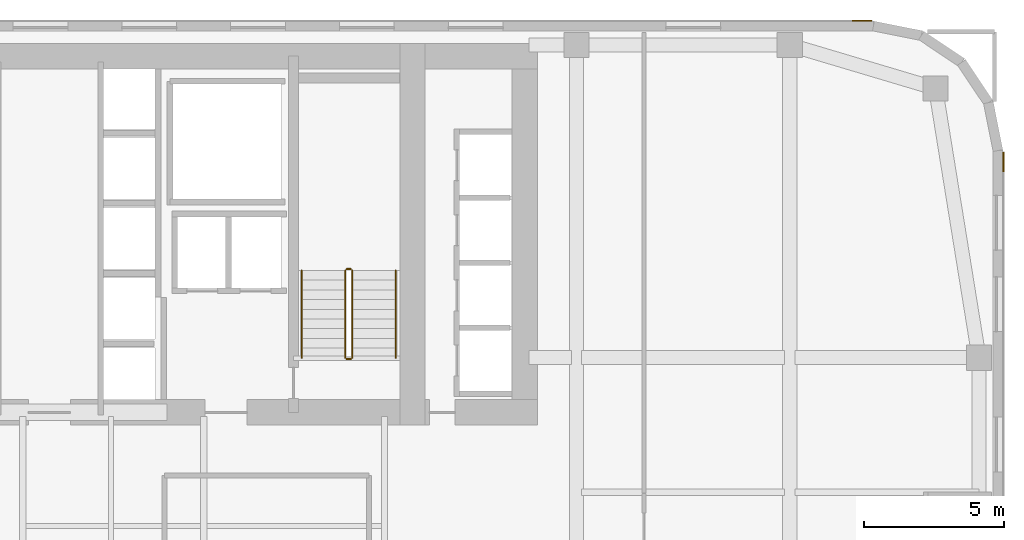
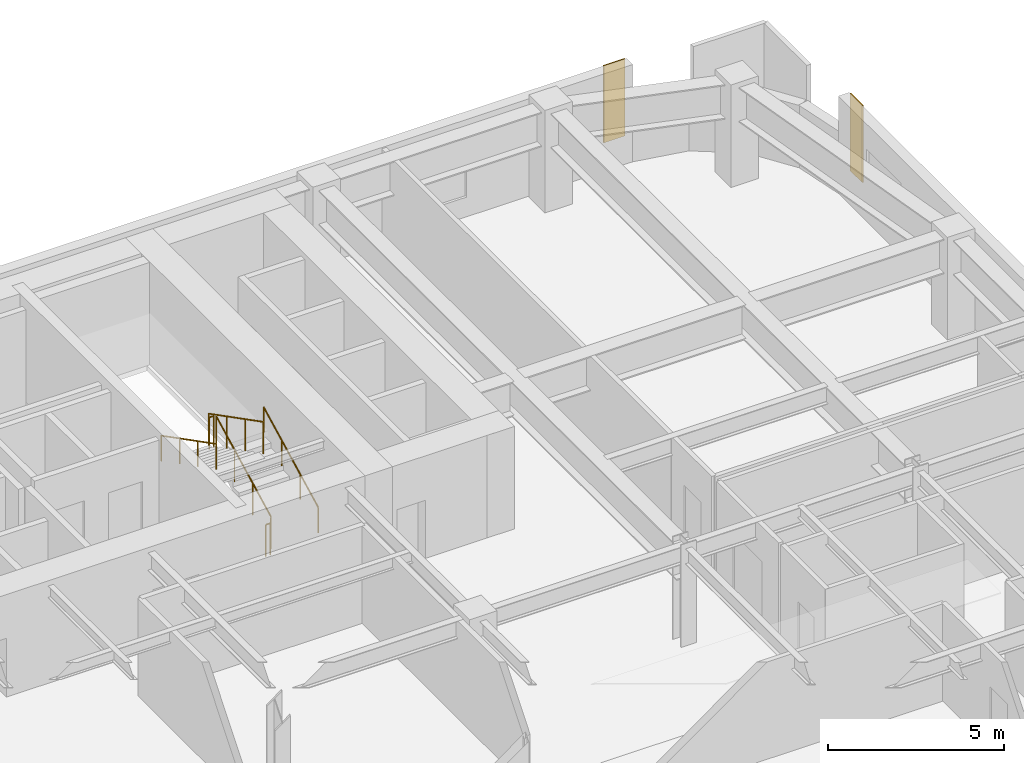
# One storey, part 24 of 24: 6 railings, 2 coverings.
"""IFC4 building model written with IfcOpenShell, lengths in metres."""

from ifc_helpers import new_model, si_unit, direction, frame, origin, origin_2d, place, context, subcontext, project, spatial, polyline, circle, outline, extrude, material, layer, layer_set, type_object, element, save


model = new_model("IFC4")

# Units and contexts
model_context = context("Model", 3, precision=1e-05, world=origin(), true_north=direction((0.0, 1.0)))
body_context = subcontext(model_context, "Body", "Model", "MODEL_VIEW")
ifc_project = project(units=[si_unit("LENGTHUNIT", "METRE"), si_unit("AREAUNIT", "SQUARE_METRE"), si_unit("VOLUMEUNIT", "CUBIC_METRE"), si_unit("PLANEANGLEUNIT", "RADIAN"), si_unit("MASSUNIT", "GRAM", prefix="KILO")], contexts=[model_context])

# Site, building, storey
site_placement = place(None, origin())
site = spatial("IfcSite", under=ifc_project, at=site_placement, CompositionType="ELEMENT")
building_placement = place(site_placement, origin())
building = spatial("IfcBuilding", under=site, at=building_placement, Name="Tolvann Quenvar Hotel", CompositionType="ELEMENT")
storey_placement = place(building_placement, frame((0.0, 0.0, 88.800048828125)))
storey = spatial("IfcBuildingStorey", under=building, at=storey_placement, Name="L22", CompositionType="ELEMENT", Elevation=88.800048828125)

# Coverings
ifc_material_1 = material(Name="Kiln-fired red architectural face brick cladding", Category="masonry")
ifc_layer = layer(ifc_material_1, 0.0400390625)
ifc_layer_set = layer_set([ifc_layer], Name="Kiln-fired red architectural face brick cladding")
covering_type = type_object("IfcCoveringType", Name="COV_CLAD_BRICK_40", PredefinedType="CLADDING", material=ifc_layer_set)
covering_1_placement = place(storey_placement, frame((0.0, 0.0, 0.699951171875)))
element("IfcCovering", 1, at=covering_1_placement, inside=storey, type_object=covering_type, Name="Brick Pier Cladding (L22-E13-P2)", PredefinedType="CLADDING", context=body_context, shape_type="SweptSolid", body=[
    extrude(outline(polyline([(57.0, 40.6328125), (57.0, 41.332763671875), (57.0400390625, 41.332763671875), (57.0400390625, 40.6328125), (57.0, 40.6328125)])), origin(), (0.0, 0.0, 1.0), 2.669921875),
])
covering_2_placement = place(storey_placement, frame((0.0, 0.0, 0.699951171875)))
element("IfcCovering", 2, at=covering_2_placement, inside=storey, type_object=covering_type, Name="Brick Pier Cladding (L22-E18-P1)", PredefinedType="CLADDING", context=body_context, shape_type="SweptSolid", body=[
    extrude(outline(polyline([(52.332763671875, 46.0), (51.6328125, 46.0), (51.6328125, 46.0400390625), (52.332763671875, 46.0400390625), (52.332763671875, 46.0)])), origin(), (0.0, 0.0, 1.0), 2.669921875),
])

# Railings
ifc_material_2 = material(Name="Brushed 316 stainless steel balustrade and handrail", Category="steel")
railing_type_1 = type_object("IfcRailingType", Name="GUARDRAIL", PredefinedType="GUARDRAIL", material=ifc_material_2)
railing_1_placement = place(storey_placement, frame((33.800048828125, 34.0, 0.177490234375)))
element("IfcRailing", 3, at=railing_1_placement, inside=storey, type_object=railing_type_1, Name="L22 ST-C2 stair guard 1", PredefinedType="GUARDRAIL", context=body_context, shape_type="SweptSolid", body=[
    extrude(circle(Radius=0.02392578125, at=origin_2d()), frame((0.0, 0.0, 1.09619140625), z_axis=(0.0, 0.889221982265, 0.45747597342), x_axis=(-1.0, 0.0, 0.0)), (0.0, 0.0, 1.0), 3.49169921875),
    extrude(circle(Radius=0.02099609375, at=origin_2d()), origin(), (0.0, 0.0, 1.0), 1.072021484375),
    extrude(circle(Radius=0.02099609375, at=origin_2d()), frame((0.0, 1.034912109375, 0.532470703125)), (0.0, 0.0, 1.0), 1.072021484375),
    extrude(circle(Radius=0.02099609375, at=origin_2d()), frame((0.0, 2.070068359375, 1.06494140625)), (0.0, 0.0, 1.0), 1.072021484375),
    extrude(circle(Radius=0.02099609375, at=origin_2d()), frame((0.0, 3.10498046875, 1.597412109375)), (0.0, 0.0, 1.0), 1.072021484375),
])
railing_2_placement = place(storey_placement, frame((33.75, 37.155029296875, 1.77490234375)))
element("IfcRailing", 4, at=railing_2_placement, inside=storey, type_object=railing_type_1, Name="L22 ST-C2 stair guard 2", PredefinedType="GUARDRAIL", context=body_context, shape_type="SweptSolid", body=[
    extrude(circle(Radius=0.02392578125, at=origin_2d()), frame((0.0, 0.0, 1.09619140625), z_axis=(-1.0, 0.0, 0.0), x_axis=(0.0, -1.0, 0.0)), (0.0, 0.0, 1.0), 0.14990234375),
    extrude(circle(Radius=0.02099609375, at=origin_2d()), origin(), (0.0, 0.0, 1.0), 1.072021484375),
    extrude(circle(Radius=0.02099609375, at=origin_2d()), frame((-0.14990234375, 0.0, 0.0)), (0.0, 0.0, 1.0), 1.072021484375),
])
railing_3_placement = place(storey_placement, frame((33.550048828125, 37.10498046875, 1.952392578125)))
element("IfcRailing", 5, at=railing_3_placement, inside=storey, type_object=railing_type_1, Name="L22 ST-C2 stair guard 3", PredefinedType="GUARDRAIL", context=body_context, shape_type="SweptSolid", body=[
    extrude(circle(Radius=0.02392578125, at=origin_2d()), frame((0.0, 0.0, 1.09619140625), z_axis=(0.0, -0.88919353882, 0.457531256332), x_axis=(1.0, 0.0, 0.0)), (0.0, 0.0, 1.0), 3.491943359375),
    extrude(circle(Radius=0.02099609375, at=origin_2d()), origin(), (0.0, 0.0, 1.0), 1.072021484375),
    extrude(circle(Radius=0.02099609375, at=origin_2d()), frame((0.0, -1.034912109375, 0.532470703125)), (0.0, 0.0, 1.0), 1.072021484375),
    extrude(circle(Radius=0.02099609375, at=origin_2d()), frame((0.0, -2.070068359375, 1.065185546875)), (0.0, 0.0, 1.0), 1.072021484375),
    extrude(circle(Radius=0.02099609375, at=origin_2d()), frame((0.0, -3.10498046875, 1.59765625)), (0.0, 0.0, 1.0), 1.072021484375),
])
railing_4_placement = place(storey_placement, frame((33.75, 33.949951171875, 0.0)))
element("IfcRailing", 6, at=railing_4_placement, inside=storey, type_object=railing_type_1, Name="L22 ST-C2 stair guard 4", PredefinedType="GUARDRAIL", context=body_context, shape_type="SweptSolid", body=[
    extrude(circle(Radius=0.02392578125, at=origin_2d()), frame((0.0, 0.0, 1.09619140625), z_axis=(-1.0, 0.0, 0.0), x_axis=(0.0, -1.0, 0.0)), (0.0, 0.0, 1.0), 0.14990234375),
    extrude(circle(Radius=0.02099609375, at=origin_2d()), origin(), (0.0, 0.0, 1.0), 1.072021484375),
    extrude(circle(Radius=0.02099609375, at=origin_2d()), frame((-0.14990234375, 0.0, 0.0)), (0.0, 0.0, 1.0), 1.072021484375),
])
railing_type_2 = type_object("IfcRailingType", Name="HANDRAIL", PredefinedType="HANDRAIL", material=ifc_material_2)
railing_5_placement = place(storey_placement, frame((35.35009765625, 34.0, 0.177490234375)))
element("IfcRailing", 7, at=railing_5_placement, inside=storey, type_object=railing_type_2, Name="L22 ST-C2 stair handrail 1", PredefinedType="HANDRAIL", context=body_context, shape_type="SweptSolid", body=[
    extrude(circle(Radius=0.02392578125, at=origin_2d()), frame((0.0, 0.0, 0.8759765625), z_axis=(0.0, 0.889221982265, 0.45747597342), x_axis=(-1.0, 0.0, 0.0)), (0.0, 0.0, 1.0), 3.49169921875),
    extrude(circle(Radius=0.02099609375, at=origin_2d()), origin(), (0.0, 0.0, 1.0), 0.851806640625),
    extrude(circle(Radius=0.02099609375, at=origin_2d()), frame((0.0, 1.034912109375, 0.532470703125)), (0.0, 0.0, 1.0), 0.851806640625),
    extrude(circle(Radius=0.02099609375, at=origin_2d()), frame((0.0, 2.070068359375, 1.06494140625)), (0.0, 0.0, 1.0), 0.851806640625),
    extrude(circle(Radius=0.02099609375, at=origin_2d()), frame((0.0, 3.10498046875, 1.597412109375)), (0.0, 0.0, 1.0), 0.851806640625),
])
railing_6_placement = place(storey_placement, frame((32.0, 37.10498046875, 1.952392578125)))
element("IfcRailing", 8, at=railing_6_placement, inside=storey, type_object=railing_type_2, Name="L22 ST-C2 stair handrail 2", PredefinedType="HANDRAIL", context=body_context, shape_type="SweptSolid", body=[
    extrude(circle(Radius=0.02392578125, at=origin_2d()), frame((0.0, 0.0, 0.8759765625), z_axis=(0.0, -0.88919353882, 0.457531256332), x_axis=(1.0, 0.0, 0.0)), (0.0, 0.0, 1.0), 3.491943359375),
    extrude(circle(Radius=0.02099609375, at=origin_2d()), origin(), (0.0, 0.0, 1.0), 0.851806640625),
    extrude(circle(Radius=0.02099609375, at=origin_2d()), frame((0.0, -1.034912109375, 0.532470703125)), (0.0, 0.0, 1.0), 0.851806640625),
    extrude(circle(Radius=0.02099609375, at=origin_2d()), frame((0.0, -2.070068359375, 1.065185546875)), (0.0, 0.0, 1.0), 0.851806640625),
    extrude(circle(Radius=0.02099609375, at=origin_2d()), frame((0.0, -3.10498046875, 1.59765625)), (0.0, 0.0, 1.0), 0.851806640625),
])

save(model, "model.ifc")
